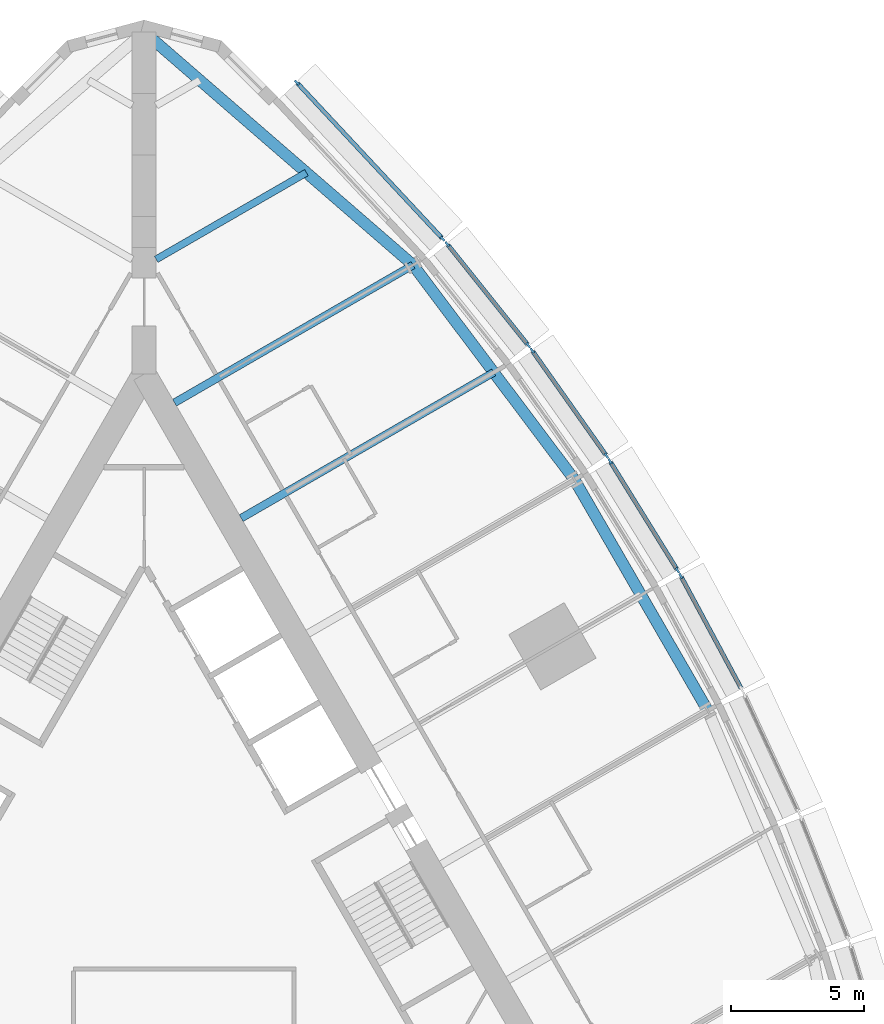
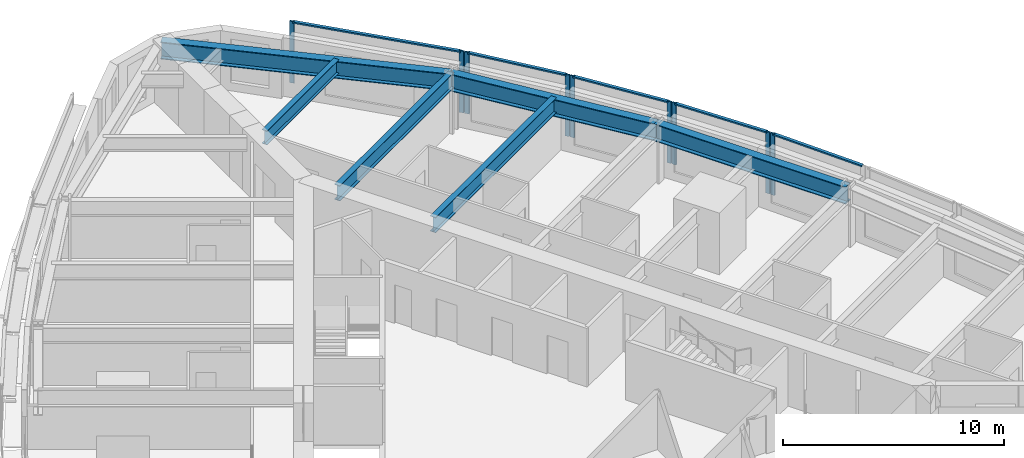
# One storey, part 5 of 14: 14 members, 6 beams, 5 elements without a shape of their own.
"""IFC4 building model written with IfcOpenShell, lengths in metres."""

from ifc_helpers import new_model, si_unit, direction, frame, origin, origin_2d, place, context, subcontext, project, spatial, rectangle, i_section, extrude, material, material_profile, profile_set, type_object, element, aggregate, save


model = new_model("IFC4")

# Units and contexts
model_context = context("Model", 3, precision=1e-05, world=origin(), true_north=direction((0.0, 1.0)))
body_context = subcontext(model_context, "Body", "Model", "MODEL_VIEW")
ifc_project = project(units=[si_unit("LENGTHUNIT", "METRE"), si_unit("AREAUNIT", "SQUARE_METRE"), si_unit("VOLUMEUNIT", "CUBIC_METRE"), si_unit("PLANEANGLEUNIT", "RADIAN"), si_unit("MASSUNIT", "GRAM", prefix="KILO")], contexts=[model_context])

# Site, building, storey
site_placement = place(None, origin())
site = spatial("IfcSite", under=ifc_project, at=site_placement, CompositionType="ELEMENT")
building_placement = place(site_placement, origin())
building = spatial("IfcBuilding", under=site, at=building_placement, Name="Trikona Tower", CompositionType="ELEMENT")
storey_placement = place(building_placement, frame((0.0, 0.0, 72.699951171875)))
storey = spatial("IfcBuildingStorey", under=building, at=storey_placement, Name="L18", CompositionType="ELEMENT", Elevation=72.699951171875)

# Curtain wall, member
ifc_material_1 = material(Name="Aluminium curtain wall system", Category="aluminium")
curtain_wall_type = type_object("IfcCurtainWallType", Name="Curtain wall DS1", PredefinedType="NOTDEFINED", material=ifc_material_1)
curtain_wall_1_placement = place(storey_placement, origin())
curtain_wall_1 = element("IfcCurtainWall", 1, at=curtain_wall_1_placement, inside=storey, type_object=curtain_wall_type, Name="Curtain wall DS1 L18", PredefinedType="NOTDEFINED")
ifc_material_2 = material(Name="Aluminium mullion, pale anodised", Category="aluminium")
ifc_material_profile_1 = material_profile(ifc_material_2, rectangle(XDim=0.080078125, YDim=0.219970703125, at=origin_2d()), Name="MUL-DS1")
ifc_profile_set_1 = profile_set([ifc_material_profile_1], Name="Aluminium mullion, pale anodised")
member_type_1 = type_object("IfcMemberType", Name="Mullion DS1 80x220", PredefinedType="MULLION", material=ifc_profile_set_1)
member_1_placement = place(storey_placement, frame((20.128662109375, 11.474365234375, 0.0), z_axis=(0.0, 0.0, 1.0), x_axis=(-0.880843080975, -0.473408350896, 0.0)))
member_1 = element("IfcMember", 2, at=member_1_placement, type_object=member_type_1, Name="CW-DS1 mullion 2", PredefinedType="MULLION", context=body_context, shape_type="SweptSolid", body=[
    extrude(rectangle(XDim=0.080078125, YDim=0.219970703125, at=origin_2d()), origin(), (0.0, 0.0, 1.0), 3.400146484375),
])

# Curtain wall, members
curtain_wall_2_placement = place(storey_placement, origin())
curtain_wall_2 = element("IfcCurtainWall", 3, at=curtain_wall_2_placement, inside=storey, type_object=curtain_wall_type, Name="Curtain wall DS1 L18", PredefinedType="NOTDEFINED")
member_2_placement = place(storey_placement, frame((20.00146484375, 11.69482421875, 0.0), z_axis=(0.0, 0.0, 1.0), x_axis=(-0.850410468941, -0.526119790842, 0.0)))
member_2 = element("IfcMember", 4, at=member_2_placement, type_object=member_type_1, Name="CW-DS1 mullion 1", PredefinedType="MULLION", context=body_context, shape_type="SweptSolid", body=[
    extrude(rectangle(XDim=0.080078125, YDim=0.219970703125, at=origin_2d()), origin(), (0.0, 0.0, 1.0), 3.400146484375),
])
member_3_placement = place(storey_placement, frame((17.474853515625, 15.77880859375, 0.0), z_axis=(0.0, 0.0, 1.0), x_axis=(-0.850410468941, -0.526119790842, 0.0)))
member_3 = element("IfcMember", 5, at=member_3_placement, type_object=member_type_1, Name="CW-DS1 mullion 2", PredefinedType="MULLION", context=body_context, shape_type="SweptSolid", body=[
    extrude(rectangle(XDim=0.080078125, YDim=0.219970703125, at=origin_2d()), origin(), (0.0, 0.0, 1.0), 3.400146484375),
])

curtain_wall_3_placement = place(storey_placement, origin())
curtain_wall_3 = element("IfcCurtainWall", 6, at=curtain_wall_3_placement, inside=storey, type_object=curtain_wall_type, Name="Curtain wall DS1 L18", PredefinedType="NOTDEFINED")
member_4_placement = place(storey_placement, frame((17.33447265625, 15.990966796875, 0.0), z_axis=(0.0, 0.0, 1.0), x_axis=(-0.816985393055, -0.576658362928, 0.0)))
member_4 = element("IfcMember", 7, at=member_4_placement, type_object=member_type_1, Name="CW-DS1 mullion 1", PredefinedType="MULLION", context=body_context, shape_type="SweptSolid", body=[
    extrude(rectangle(XDim=0.080078125, YDim=0.219970703125, at=origin_2d()), origin(), (0.0, 0.0, 1.0), 3.400146484375),
])
member_5_placement = place(storey_placement, frame((14.554443359375, 19.929443359375, 0.0), z_axis=(0.0, 0.0, 1.0), x_axis=(-0.816985393055, -0.576658362928, 0.0)))
member_5 = element("IfcMember", 8, at=member_5_placement, type_object=member_type_1, Name="CW-DS1 mullion 2", PredefinedType="MULLION", context=body_context, shape_type="SweptSolid", body=[
    extrude(rectangle(XDim=0.080078125, YDim=0.219970703125, at=origin_2d()), origin(), (0.0, 0.0, 1.0), 3.400146484375),
])

curtain_wall_4_placement = place(storey_placement, origin())
curtain_wall_4 = element("IfcCurtainWall", 9, at=curtain_wall_4_placement, inside=storey, type_object=curtain_wall_type, Name="Curtain wall DS1 L18", PredefinedType="NOTDEFINED")
member_6_placement = place(storey_placement, frame((14.40185546875, 20.13232421875, 0.0), z_axis=(0.0, 0.0, 1.0), x_axis=(-0.780937959679, -0.624608599951, 0.0)))
member_6 = element("IfcMember", 10, at=member_6_placement, type_object=member_type_1, Name="CW-DS1 mullion 1", PredefinedType="MULLION", context=body_context, shape_type="SweptSolid", body=[
    extrude(rectangle(XDim=0.080078125, YDim=0.219970703125, at=origin_2d()), origin(), (0.0, 0.0, 1.0), 3.400146484375),
])
member_7_placement = place(storey_placement, frame((11.36767578125, 23.926025390625, 0.0), z_axis=(0.0, 0.0, 1.0), x_axis=(-0.780937959679, -0.624608599951, 0.0)))
member_7 = element("IfcMember", 11, at=member_7_placement, type_object=member_type_1, Name="CW-DS1 mullion 2", PredefinedType="MULLION", context=body_context, shape_type="SweptSolid", body=[
    extrude(rectangle(XDim=0.080078125, YDim=0.219970703125, at=origin_2d()), origin(), (0.0, 0.0, 1.0), 3.400146484375),
])

curtain_wall_5_placement = place(storey_placement, origin())
curtain_wall_5 = element("IfcCurtainWall", 12, at=curtain_wall_5_placement, inside=storey, type_object=curtain_wall_type, Name="Curtain wall DS1 L18", PredefinedType="NOTDEFINED")
member_8_placement = place(storey_placement, frame((11.192138671875, 24.129150390625, 0.0), z_axis=(0.0, 0.0, 1.0), x_axis=(-0.731076639405, -0.682295351967, 0.0)))
member_8 = element("IfcMember", 13, at=member_8_placement, type_object=member_type_1, Name="CW-DS1 mullion 1", PredefinedType="MULLION", context=body_context, shape_type="SweptSolid", body=[
    extrude(rectangle(XDim=0.080078125, YDim=0.219970703125, at=origin_2d()), origin(), (0.0, 0.0, 1.0), 3.400146484375),
])
member_9_placement = place(storey_placement, frame((5.72607421875, 29.98583984375, 0.0), z_axis=(0.0, 0.0, 1.0), x_axis=(-0.731076639405, -0.682295351967, 0.0)))
member_9 = element("IfcMember", 14, at=member_9_placement, type_object=member_type_1, Name="CW-DS1 mullion 2", PredefinedType="MULLION", context=body_context, shape_type="SweptSolid", body=[
    extrude(rectangle(XDim=0.080078125, YDim=0.219970703125, at=origin_2d()), origin(), (0.0, 0.0, 1.0), 3.400146484375),
])

# Beams
ifc_material_3 = material(Name="Steel ASTM A992 Grade 50", Category="steel")
ifc_material_profile_2 = material_profile(ifc_material_3, i_section(OverallWidth=0.2666015625, OverallDepth=0.76953125, WebThickness=0.015625, FlangeThickness=0.025390625, at=origin_2d()), Name="W30X132")
ifc_profile_set_2 = profile_set([ifc_material_profile_2], Name="Steel ASTM A992 Grade 50")
beam_type_1 = type_object("IfcBeamType", Name="Steel beam W30x132 (wedge)", PredefinedType="BEAM", material=ifc_profile_set_2)
beam_1_placement = place(storey_placement, frame((0.449951171875, 23.353759765625, 2.850341796875), z_axis=(0.866022504693, 0.50000502134, 0.0), x_axis=(-0.50000502134, 0.866022504693, 0.0)))
element("IfcBeam", 15, at=beam_1_placement, inside=storey, type_object=beam_type_1, Name="Floor beam L19 F2 u20", PredefinedType="BEAM", context=body_context, shape_type="SweptSolid", body=[
    extrude(i_section(OverallWidth=0.2666015625, OverallDepth=0.76953125, WebThickness=0.015625, FlangeThickness=0.025390625, at=origin_2d()), origin(), (0.0, 0.0, 1.0), 6.5068359375),
])
ifc_material_4 = material(Name="Steel ASTM A992 Grade 50", Category="steel")
ifc_material_profile_3 = material_profile(ifc_material_4, i_section(OverallWidth=0.2919921875, OverallDepth=0.845703125, WebThickness=0.015380859375, FlangeThickness=0.0244140625, at=origin_2d()), Name="W33X141")
ifc_profile_set_3 = profile_set([ifc_material_profile_3], Name="Steel ASTM A992 Grade 50")
beam_type_2 = type_object("IfcBeamType", Name="Steel beam W33x141 (radial typ)", PredefinedType="BEAM", material=ifc_profile_set_3)
beam_2_placement = place(storey_placement, frame((3.6396484375, 13.6484375, 2.812255859375), z_axis=(0.866025348605, 0.500000095573, 0.0), x_axis=(-0.500000095573, 0.866025348605, 0.0)))
element("IfcBeam", 16, at=beam_2_placement, inside=storey, type_object=beam_type_2, Name="Floor beam L19 F2 u10", PredefinedType="BEAM", context=body_context, shape_type="SweptSolid", body=[
    extrude(i_section(OverallWidth=0.2919921875, OverallDepth=0.845703125, WebThickness=0.015380859375, FlangeThickness=0.0244140625, at=origin_2d()), origin(), (0.0, 0.0, 1.0), 10.935546875),
])
beam_3_placement = place(storey_placement, frame((1.1396484375, 17.978515625, 2.812255859375), z_axis=(0.866030471684, 0.499991222037, 0.0), x_axis=(-0.499991222037, 0.866030471684, 0.0)))
element("IfcBeam", 17, at=beam_3_placement, inside=storey, type_object=beam_type_2, Name="Floor beam L19 F2 u15", PredefinedType="BEAM", context=body_context, shape_type="SweptSolid", body=[
    extrude(i_section(OverallWidth=0.2919921875, OverallDepth=0.845703125, WebThickness=0.015380859375, FlangeThickness=0.0244140625, at=origin_2d()), origin(), (0.0, 0.0, 1.0), 10.326904296875),
])
ifc_material_5 = material(Name="Steel ASTM A992 Grade 50", Category="steel")
ifc_material_profile_4 = material_profile(ifc_material_5, i_section(OverallWidth=0.424072265625, OverallDepth=0.947509765625, WebThickness=0.02392578125, FlangeThickness=0.042724609375, at=origin_2d()), Name="W36X302")
ifc_profile_set_4 = profile_set([ifc_material_profile_4], Name="Steel ASTM A992 Grade 50")
beam_type_3 = type_object("IfcBeamType", Name="Steel beam W36x302 (spandrel)", PredefinedType="SPANDREL", material=ifc_profile_set_4)
beam_4_placement = place(storey_placement, frame((21.13720703125, 6.43017578125, 2.76123046875), z_axis=(-0.500004234368, 0.866022959057, 0.0), x_axis=(-0.866022959057, -0.500004234368, 0.0)))
element("IfcBeam", 18, at=beam_4_placement, inside=storey, type_object=beam_type_3, Name="Spandrel beam L19 F2-3", PredefinedType="SPANDREL", context=body_context, shape_type="SweptSolid", body=[
    extrude(i_section(OverallWidth=0.424072265625, OverallDepth=0.947509765625, WebThickness=0.02392578125, FlangeThickness=0.042724609375, at=origin_2d()), origin(), (0.0, 0.0, 1.0), 10.0),
])
beam_5_placement = place(storey_placement, frame((16.13720703125, 15.09033203125, 2.76123046875), z_axis=(-0.600988344191, 0.799257787042, 0.0), x_axis=(-0.799257787042, -0.600988344191, 0.0)))
element("IfcBeam", 19, at=beam_5_placement, inside=storey, type_object=beam_type_3, Name="Spandrel beam L19 F2-4", PredefinedType="SPANDREL", context=body_context, shape_type="SweptSolid", body=[
    extrude(i_section(OverallWidth=0.424072265625, OverallDepth=0.947509765625, WebThickness=0.02392578125, FlangeThickness=0.042724609375, at=origin_2d()), origin(), (0.0, 0.0, 1.0), 10.07373046875),
])
beam_6_placement = place(storey_placement, frame((10.0830078125, 23.141845703125, 2.76123046875), z_axis=(-0.755646822726, 0.654979296851, 0.0), x_axis=(-0.654979296851, -0.755646822726, 0.0)))
element("IfcBeam", 20, at=beam_6_placement, inside=storey, type_object=beam_type_3, Name="Spandrel beam L19 F2-5", PredefinedType="SPANDREL", context=body_context, shape_type="SweptSolid", body=[
    extrude(i_section(OverallWidth=0.424072265625, OverallDepth=0.947509765625, WebThickness=0.02392578125, FlangeThickness=0.042724609375, at=origin_2d()), origin(), (0.0, 0.0, 1.0), 13.343505859375),
])

# Member
ifc_material_6 = material(Name="Aluminium transom, pale anodised", Category="aluminium")
ifc_material_profile_5 = material_profile(ifc_material_6, rectangle(XDim=0.159912109375, YDim=0.080078125, at=origin_2d()), Name="TRN-DS1")
ifc_profile_set_5 = profile_set([ifc_material_profile_5], Name="Aluminium transom, pale anodised")
member_type_2 = type_object("IfcMemberType", Name="Transom DS1 80x160", PredefinedType="USERDEFINED", material=ifc_profile_set_5)
member_10_placement = place(storey_placement, frame((22.38330078125, 7.279541015625, 3.360107421875), z_axis=(-0.473427569755, 0.880832751546, 0.0), x_axis=(-0.880832751546, -0.473427569755, 0.0)))
member_10 = element("IfcMember", 21, at=member_10_placement, type_object=member_type_2, Name="CW-DS1 transom 1.1", ObjectType="TRANSOM", PredefinedType="USERDEFINED", context=body_context, shape_type="SweptSolid", body=[
    extrude(rectangle(XDim=0.159912109375, YDim=0.080078125, at=origin_2d()), origin(), (0.0, 0.0, 1.0), 4.72216796875),
])

aggregate(curtain_wall_1, [member_1, member_10])

member_11_placement = place(storey_placement, frame((19.980224609375, 11.728759765625, 3.360107421875), z_axis=(-0.526080502257, 0.850434774186, 0.0), x_axis=(-0.850434774186, -0.526080502257, 0.0)))
member_11 = element("IfcMember", 22, at=member_11_placement, type_object=member_type_2, Name="CW-DS1 transom 1.1", ObjectType="TRANSOM", PredefinedType="USERDEFINED", context=body_context, shape_type="SweptSolid", body=[
    extrude(rectangle(XDim=0.159912109375, YDim=0.080078125, at=origin_2d()), origin(), (0.0, 0.0, 1.0), 4.722412109375),
])

aggregate(curtain_wall_2, [member_2, member_3, member_11])

member_12_placement = place(storey_placement, frame((17.311279296875, 16.023681640625, 3.360107421875), z_axis=(-0.57664478015, 0.816994980111, 0.0), x_axis=(-0.816994980111, -0.57664478015, 0.0)))
member_12 = element("IfcMember", 23, at=member_12_placement, type_object=member_type_2, Name="CW-DS1 transom 1.1", ObjectType="TRANSOM", PredefinedType="USERDEFINED", context=body_context, shape_type="SweptSolid", body=[
    extrude(rectangle(XDim=0.159912109375, YDim=0.080078125, at=origin_2d()), origin(), (0.0, 0.0, 1.0), 4.740478515625),
])

aggregate(curtain_wall_3, [member_4, member_5, member_12])

member_13_placement = place(storey_placement, frame((14.376953125, 20.16357421875, 3.360107421875), z_axis=(-0.624589103832, 0.780953552636, 0.0), x_axis=(-0.780953552636, -0.624589103832, 0.0)))
member_13 = element("IfcMember", 24, at=member_13_placement, type_object=member_type_2, Name="CW-DS1 transom 1.1", ObjectType="TRANSOM", PredefinedType="USERDEFINED", context=body_context, shape_type="SweptSolid", body=[
    extrude(rectangle(XDim=0.159912109375, YDim=0.080078125, at=origin_2d()), origin(), (0.0, 0.0, 1.0), 4.77783203125),
])

aggregate(curtain_wall_4, [member_6, member_7, member_13])

member_14_placement = place(storey_placement, frame((11.164794921875, 24.158203125, 3.360107421875), z_axis=(-0.682290830921, 0.731080858758, 0.0), x_axis=(-0.731080858758, -0.682290830921, 0.0)))
member_14 = element("IfcMember", 25, at=member_14_placement, type_object=member_type_2, Name="CW-DS1 transom 1.1", ObjectType="TRANSOM", PredefinedType="USERDEFINED", context=body_context, shape_type="SweptSolid", body=[
    extrude(rectangle(XDim=0.159912109375, YDim=0.080078125, at=origin_2d()), origin(), (0.0, 0.0, 1.0), 7.93115234375),
])

aggregate(curtain_wall_5, [member_8, member_9, member_14])

save(model, "model.ifc")
